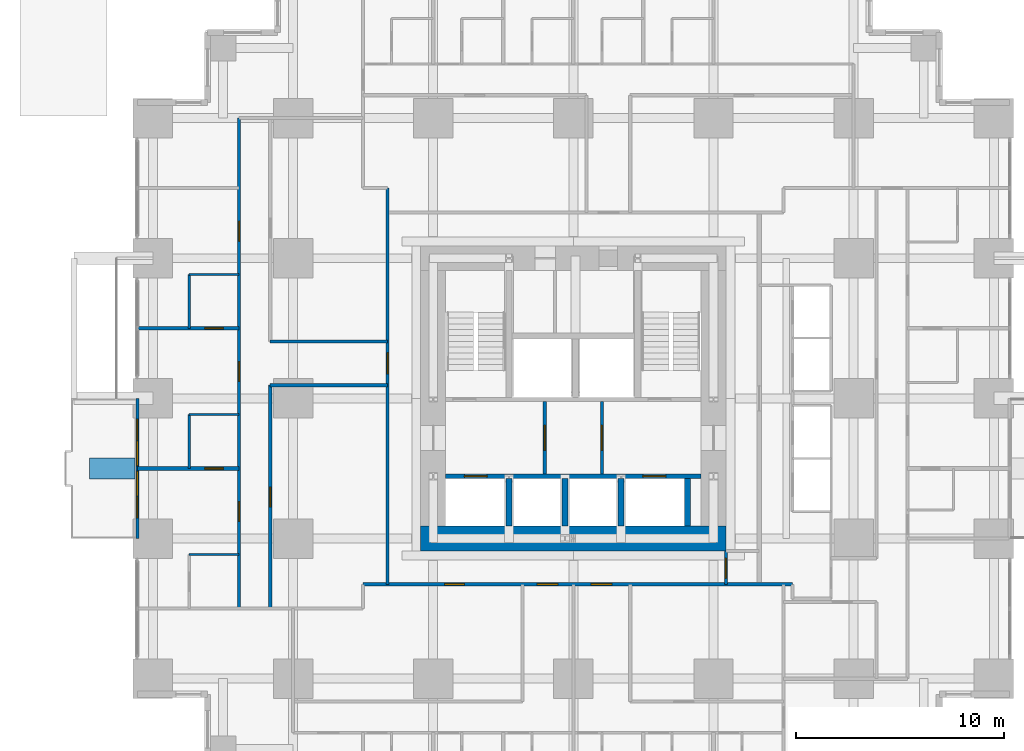
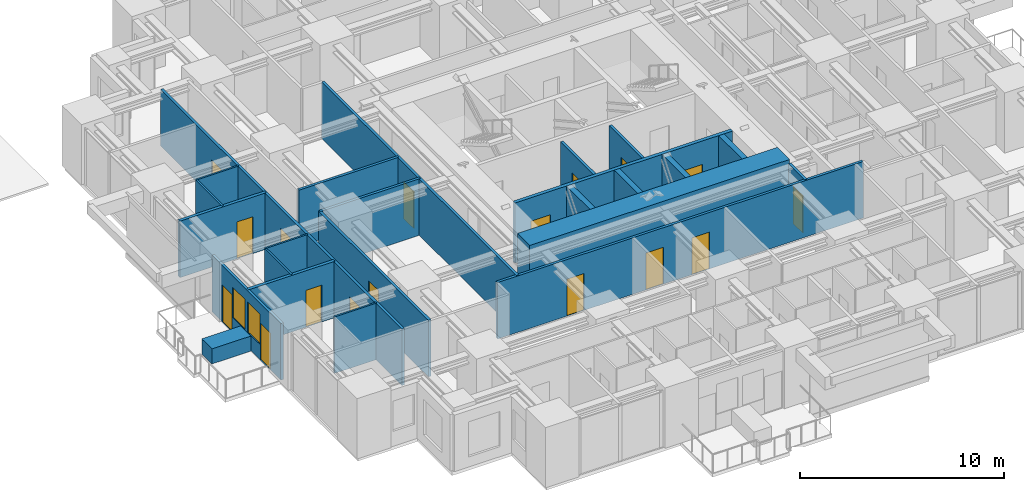
# One storey, part 9 of 14: 24 walls, 17 doors, 2 windows, 19 openings.
"""IFC4 building model written with IfcOpenShell, lengths in metres."""

import ifcopenshell
import ifcopenshell.guid

model = None  # the IFC model being written
_history = None  # IfcOwnerHistory: only IFC2X3 demands one
_inside = {}  # id of a spatial element -> (the spatial element, [elements in it])
_under = {}  # id of a project, library or spatial element -> (it, [spatial elements below it])
_declared = {}  # id of a project -> (the project, [libraries it declares])
_typed = {}  # id of a type object -> (the type object, [elements of that type])
_made_of = {}  # id of a material, layer set ... -> (it, [elements and type objects made of it])


def new_model(schema):
    """Start an empty IFC model of exactly this schema.

    Asked for "IFC4X3", IfcOpenShell would pick the latest addendum, in which some entities
    have other attributes; the version numbers below select the first issue.
    IFC2X3 requires an IfcOwnerHistory on every rooted entity: one is made here for all.
    """
    global model, _history
    if schema == "IFC4X3":
        model = ifcopenshell.file(schema_version=(4, 3, 0, 0))
    else:
        model = ifcopenshell.file(schema=schema)
    _inside.clear()
    _under.clear()
    _declared.clear()
    _typed.clear()
    _made_of.clear()
    _history = None
    if model.schema == "IFC2X3":
        org = make("IfcOrganization", Name="unknown")
        user = make(
            "IfcPersonAndOrganization",
            ThePerson=make("IfcPerson", FamilyName="unknown"),
            TheOrganization=org,
        )
        app = make(
            "IfcApplication",
            ApplicationDeveloper=org,
            Version="unknown",
            ApplicationFullName="unknown",
            ApplicationIdentifier="unknown",
        )
        _history = make(
            "IfcOwnerHistory",
            OwningUser=user,
            OwningApplication=app,
            ChangeAction="ADDED",
            CreationDate=0,
        )
    return model


def make(cls, **values):
    """One entity of the class cls with the attributes given. An attribute that is None is left unset."""
    return model.create_entity(
        cls, **{name: value for name, value in values.items() if value is not None}
    )


def rooted(cls, **values):
    """An entity with a GlobalId (a new one), such as an element, a storey or a relation."""
    return make(cls, GlobalId=ifcopenshell.guid.new(), OwnerHistory=_history, **values)


def si_unit(unit_type, name, prefix=None):
    """IfcSIUnit, for example si_unit("LENGTHUNIT", "METRE", prefix="MILLI")."""
    return make("IfcSIUnit", UnitType=unit_type, Prefix=prefix, Name=name)


def assignment(units):
    """IfcUnitAssignment: the units of a project."""
    return None if units is None else make("IfcUnitAssignment", Units=units)


def point(xyz):
    """IfcCartesianPoint."""
    return None if xyz is None else make("IfcCartesianPoint", Coordinates=xyz)


def direction(xyz):
    """IfcDirection."""
    return None if xyz is None else make("IfcDirection", DirectionRatios=xyz)


def frame(location, z_axis=None, x_axis=None):
    """IfcAxis2Placement3D, a coordinate frame: its origin and axes. An axis left out is left unset."""
    return make(
        "IfcAxis2Placement3D",
        Location=point(location),
        Axis=direction(z_axis),
        RefDirection=direction(x_axis),
    )


def frame_2d(location, x_axis=None):
    """IfcAxis2Placement2D, a coordinate frame in the plane: its origin and x axis."""
    return make(
        "IfcAxis2Placement2D", Location=point(location), RefDirection=direction(x_axis)
    )


def origin():
    """The frame at (0, 0, 0) with its axes left unset."""
    return frame((0.0, 0.0, 0.0))


def place(relative_to, where):
    """IfcLocalPlacement: puts the frame where relative to a parent placement (None: the world)."""
    return make(
        "IfcLocalPlacement", PlacementRelTo=relative_to, RelativePlacement=where
    )


def context(
    kind, dimensions, precision=None, world=None, true_north=None, identifier=None
):
    """IfcGeometricRepresentationContext, for example the 3D "Model" context."""
    return make(
        "IfcGeometricRepresentationContext",
        ContextIdentifier=identifier,
        ContextType=kind,
        CoordinateSpaceDimension=dimensions,
        Precision=precision,
        WorldCoordinateSystem=world,
        TrueNorth=true_north,
    )


def subcontext(parent, identifier, kind, view, scale=None):
    """IfcGeometricRepresentationSubContext, for example "Body" below "Model"."""
    return make(
        "IfcGeometricRepresentationSubContext",
        ContextIdentifier=identifier,
        ContextType=kind,
        ParentContext=parent,
        TargetScale=scale,
        TargetView=view,
    )


def project(units=None, contexts=None):
    """IfcProject with its units and contexts."""
    return rooted(
        "IfcProject",
        Name="project",
        RepresentationContexts=contexts,
        UnitsInContext=assignment(units),
    )


def spatial(cls, under=None, at=None, **own):
    """A site, building, storey or space (cls), placed at a placement, below another one or the project."""
    s = rooted(cls, ObjectPlacement=at, **own)
    if under is not None:
        _under.setdefault(under.id(), (under, []))[1].append(s)
    return s


def profile(cls, at=None, kind="AREA", **sizes):
    """A parametric profile (cls). Its sizes go by their IFC names, for example OverallWidth=200.0."""
    return make(cls, ProfileType=kind, Position=at, **sizes)


def rectangle(**sizes):
    """IfcRectangleProfileDef."""
    return profile("IfcRectangleProfileDef", **sizes)


def extrude(swept, where, along, depth):
    """IfcExtrudedAreaSolid: the profile swept, set in the frame where, extruded along a direction by depth."""
    return make(
        "IfcExtrudedAreaSolid",
        SweptArea=swept,
        Position=where,
        ExtrudedDirection=direction(along),
        Depth=depth,
    )


def shape(context_of_items, identifier, shape_type, items):
    """IfcShapeRepresentation: the items that make up one representation, for example the "Body"."""
    return make(
        "IfcShapeRepresentation",
        ContextOfItems=context_of_items,
        RepresentationIdentifier=identifier,
        RepresentationType=shape_type,
        Items=items,
    )


def material(Name=None, Category=None):
    """IfcMaterial."""
    return make("IfcMaterial", Name=Name, Category=Category)


def layer(
    of_material, thickness, ventilated=None, Name=None, Category=None, Priority=None
):
    """IfcMaterialLayer: one layer of a wall or slab, of a material (None: an air gap)."""
    return make(
        "IfcMaterialLayer",
        Material=of_material,
        LayerThickness=thickness,
        IsVentilated=ventilated,
        Name=Name,
        Category=Category,
        Priority=Priority,
    )


def layer_set(layers, Name=None):
    """IfcMaterialLayerSet."""
    return make("IfcMaterialLayerSet", MaterialLayers=layers, LayerSetName=Name)


def made_of(thing, what):
    """Note that an element or type object is made of a material, layer set ...; save() writes the relation."""
    if what is not None:
        _made_of.setdefault(what.id(), (what, []))[1].append(thing)
    return thing


def type_object(cls, material=None, **own):
    """A type object (cls), such as IfcWallType, which elements share."""
    return made_of(rooted(cls, **own), material)


def element(
    cls,
    number,
    at=None,
    inside=None,
    cuts=None,
    type_object=None,
    material=None,
    context=None,
    identifier="Body",
    shape_type=None,
    held_by="IfcProductDefinitionShape",
    body=None,
    shapes=None,
    **own,
):
    """One element of the class cls, such as IfcWall. Its Tag is "e" and its number.

    at: its placement. inside: the storey or other place that contains it. cuts: it is an
    opening in that element (IfcRelVoidsElement). A single representation is given by context,
    identifier, shape_type and body (its items); several are given by shapes. held_by: the class
    of the entity that holds the representations. save() writes the other relations.
    """
    e = rooted(cls, Tag="e%d" % number, ObjectPlacement=at, **own)
    if body is not None:
        shapes = [shape(context, identifier, shape_type, body)]
    if shapes is not None:
        e.Representation = make(held_by, Representations=shapes)
    if inside is not None:
        _inside.setdefault(inside.id(), (inside, []))[1].append(e)
    if cuts is not None:
        rooted(
            "IfcRelVoidsElement", RelatingBuildingElement=cuts, RelatedOpeningElement=e
        )
    if type_object is not None:
        _typed.setdefault(type_object.id(), (type_object, []))[1].append(e)
    return made_of(e, material)


def fill(opening, filler):
    """IfcRelFillsElement: the door or window that sits in an opening."""
    return rooted(
        "IfcRelFillsElement",
        RelatingOpeningElement=opening,
        RelatedBuildingElement=filler,
    )


def aggregate(whole, parts):
    """IfcRelAggregates: a whole, such as a stair, and the parts it consists of."""
    return rooted("IfcRelAggregates", RelatingObject=whole, RelatedObjects=parts)


def save(model, path):
    """Write the relations noted so far, then the file.

    IfcRelAggregates (storeys below a building ...), IfcRelContainedInSpatialStructure (elements
    in a storey), IfcRelDefinesByType, IfcRelAssociatesMaterial and IfcRelDeclares: one each for
    every whole, place, type object, material and project.
    """
    for whole, parts in _under.values():
        aggregate(whole, parts)
    for where, things in _inside.values():
        rooted(
            "IfcRelContainedInSpatialStructure",
            RelatedElements=things,
            RelatingStructure=where,
        )
    for kind, things in _typed.values():
        rooted("IfcRelDefinesByType", RelatedObjects=things, RelatingType=kind)
    for what, things in _made_of.values():
        rooted("IfcRelAssociatesMaterial", RelatedObjects=things, RelatingMaterial=what)
    for by, libraries in _declared.values():
        rooted("IfcRelDeclares", RelatingContext=by, RelatedDefinitions=libraries)
    model.write(path)


model = new_model("IFC4")

# Units and contexts
model_context = context("Model", 3, precision=1e-05, world=origin(), true_north=direction((0.0, 1.0)))
body_context = subcontext(model_context, "Body", "Model", "MODEL_VIEW")
ifc_project = project(units=[si_unit("LENGTHUNIT", "METRE"), si_unit("AREAUNIT", "SQUARE_METRE"), si_unit("VOLUMEUNIT", "CUBIC_METRE"), si_unit("PLANEANGLEUNIT", "RADIAN"), si_unit("MASSUNIT", "GRAM", prefix="KILO")], contexts=[model_context])

# Site, building, storey
site_placement = place(None, origin())
site = spatial("IfcSite", under=ifc_project, at=site_placement, CompositionType="ELEMENT")
building_placement = place(site_placement, origin())
building = spatial("IfcBuilding", under=site, at=building_placement, Name="Nyansa Garden Tower", CompositionType="ELEMENT")
storey_placement = place(building_placement, frame((0.0, 0.0, 18.0)))
storey = spatial("IfcBuildingStorey", under=building, at=storey_placement, Name="L04", CompositionType="ELEMENT", Elevation=18.0)

# Wall, opening, door
ifc_material_1 = material(Name="Dense blockwork, plastered both sides, 55 dB", Category="masonry")
ifc_layer_1 = layer(ifc_material_1, 0.175048828125)
ifc_layer_set_1 = layer_set([ifc_layer_1], Name="Acoustic party wall PW175")
wall_type_1 = type_object("IfcWallType", Name="Acoustic party wall PW175", PredefinedType="PARTITIONING", material=ifc_layer_set_1)
wall_1_placement = place(storey_placement, frame((-0.73388671875, 16.875, 0.0), z_axis=(0.0, 0.0, 1.0), x_axis=(1.0, 0.0, 0.0)))
wall_1 = element("IfcWall", 1, at=wall_1_placement, inside=storey, type_object=wall_type_1, Name="Party wall", PredefinedType="PARTITIONING", context=body_context, shape_type="SweptSolid", body=[
    extrude(rectangle(XDim=4.8837890625, YDim=0.175048828125, at=frame_2d((2.44189453125, 0.0))), origin(), (0.0, 0.0, 1.0), 3.375),
])
opening_1_placement = place(wall_1_placement, frame((3.23388671875, 0.0, 0.0)))
opening_1 = element("IfcOpeningElement", 2, at=opening_1_placement, cuts=wall_1, Name="Opening D02", PredefinedType="OPENING", context=body_context, shape_type="SweptSolid", body=[
    extrude(rectangle(XDim=0.89990234375, YDim=2.199951171875, at=frame_2d((0.449951171875, 1.10009765625))), frame((0.0, 0.097412109375, 0.0), z_axis=(0.0, -1.0, 0.0), x_axis=(1.0, 0.0, 0.0)), (0.0, 0.0, 1.0), 0.195068359375),
])
ifc_material_2 = material(Name="Timber flush door", Category="wood")
door_type_1 = type_object("IfcDoorType", Name="En-suite door D02 900x2200", OperationType="SINGLE_SWING_RIGHT", PredefinedType="DOOR", material=ifc_material_2)
door_1_placement = place(opening_1_placement, origin())
door_1 = element("IfcDoor", 3, at=door_1_placement, inside=storey, type_object=door_type_1, Name="Door L04-062", OperationType="SINGLE_SWING_RIGHT", OverallHeight=2.199951171875, OverallWidth=0.89990234375, PredefinedType="DOOR", context=body_context, shape_type="SweptSolid", body=[
    extrude(rectangle(XDim=0.89990234375, YDim=2.199951171875, at=frame_2d((0.449951171875, 1.10009765625))), frame((0.0, 0.02490234375, 0.0), z_axis=(0.0, -1.0, 0.0), x_axis=(1.0, 0.0, 0.0)), (0.0, 0.0, 1.0), 0.050048828125),
])
fill(opening_1, door_1)

wall_2_placement = place(storey_placement, frame((-0.73388671875, 23.625, 0.0), z_axis=(0.0, 0.0, 1.0), x_axis=(1.0, 0.0, 0.0)))
wall_2 = element("IfcWall", 4, at=wall_2_placement, inside=storey, type_object=wall_type_1, Name="Party wall", PredefinedType="PARTITIONING", context=body_context, shape_type="SweptSolid", body=[
    extrude(rectangle(XDim=4.8837890625, YDim=0.175048828125, at=frame_2d((2.44189453125, 0.0))), origin(), (0.0, 0.0, 1.0), 3.375),
])
opening_2_placement = place(wall_2_placement, frame((3.23388671875, 0.0, 0.0)))
opening_2 = element("IfcOpeningElement", 5, at=opening_2_placement, cuts=wall_2, Name="Opening D02", PredefinedType="OPENING", context=body_context, shape_type="SweptSolid", body=[
    extrude(rectangle(XDim=0.89990234375, YDim=2.199951171875, at=frame_2d((0.449951171875, 1.10009765625))), frame((0.0, 0.097412109375, 0.0), z_axis=(0.0, -1.0, 0.0), x_axis=(1.0, 0.0, 0.0)), (0.0, 0.0, 1.0), 0.195068359375),
])
door_2_placement = place(opening_2_placement, origin())
door_2 = element("IfcDoor", 6, at=door_2_placement, inside=storey, type_object=door_type_1, Name="Door L04-064", OperationType="SINGLE_SWING_RIGHT", OverallHeight=2.199951171875, OverallWidth=0.89990234375, PredefinedType="DOOR", context=body_context, shape_type="SweptSolid", body=[
    extrude(rectangle(XDim=0.89990234375, YDim=2.199951171875, at=frame_2d((0.449951171875, 1.10009765625))), frame((0.0, 0.02490234375, 0.0), z_axis=(0.0, -1.0, 0.0), x_axis=(1.0, 0.0, 0.0)), (0.0, 0.0, 1.0), 0.050048828125),
])
fill(opening_2, door_2)

# Wall, openings, doors, windows
ifc_material_3 = material(Name="Black aluminium framed glazed screen", Category="aluminium")
ifc_layer_2 = layer(ifc_material_3, 0.14990234375)
ifc_layer_set_2 = layer_set([ifc_layer_2], Name="Balcony screen wall BW150")
wall_type_2 = type_object("IfcWallType", Name="Balcony screen wall BW150", PredefinedType="SOLIDWALL", material=ifc_layer_set_2)
wall_3_placement = place(storey_placement, frame((-0.75, 13.5, 0.0), z_axis=(0.0, 0.0, 1.0), x_axis=(0.0, 1.0, 0.0)))
wall_3 = element("IfcWall", 7, at=wall_3_placement, inside=storey, type_object=wall_type_2, Name="Glazed screen wall L04 W", PredefinedType="SOLIDWALL", context=body_context, shape_type="SweptSolid", body=[
    extrude(rectangle(XDim=6.75, YDim=0.14990234375, at=frame_2d((3.375, 0.0))), origin(), (0.0, 0.0, 1.0), 3.375),
])
opening_3_placement = place(wall_3_placement, frame((0.995849609375, 0.0, 0.0)))
opening_3 = element("IfcOpeningElement", 8, at=opening_3_placement, cuts=wall_3, Name="Opening D20", PredefinedType="OPENING", context=body_context, shape_type="SweptSolid", body=[
    extrude(rectangle(XDim=1.0, YDim=2.199951171875, at=frame_2d((0.5, 1.10009765625))), frame((0.0, 0.0849609375, 0.0), z_axis=(0.0, -1.0, 0.0), x_axis=(1.0, 0.0, 0.0)), (0.0, 0.0, 1.0), 0.169921875),
])
opening_4_placement = place(wall_3_placement, frame((2.041748046875, 0.0, 0.89990234375)))
opening_4 = element("IfcOpeningElement", 9, at=opening_4_placement, cuts=wall_3, Name="Opening W6", PredefinedType="OPENING", context=body_context, shape_type="SweptSolid", body=[
    extrude(rectangle(XDim=1.199951171875, YDim=1.800048828125, at=frame_2d((0.60009765625, 0.89990234375))), frame((0.0, 0.0849609375, 0.0), z_axis=(0.0, -1.0, 0.0), x_axis=(1.0, 0.0, 0.0)), (0.0, 0.0, 1.0), 0.169921875),
])
opening_5_placement = place(wall_3_placement, frame((4.754150390625, 0.0, 0.0)))
opening_5 = element("IfcOpeningElement", 10, at=opening_5_placement, cuts=wall_3, Name="Opening D20", PredefinedType="OPENING", context=body_context, shape_type="SweptSolid", body=[
    extrude(rectangle(XDim=1.0, YDim=2.199951171875, at=frame_2d((0.5, 1.10009765625))), frame((0.0, 0.0849609375, 0.0), z_axis=(0.0, -1.0, 0.0), x_axis=(1.0, 0.0, 0.0)), (0.0, 0.0, 1.0), 0.169921875),
])
opening_6_placement = place(wall_3_placement, frame((3.50830078125, 0.0, 0.89990234375)))
opening_6 = element("IfcOpeningElement", 11, at=opening_6_placement, cuts=wall_3, Name="Opening W6", PredefinedType="OPENING", context=body_context, shape_type="SweptSolid", body=[
    extrude(rectangle(XDim=1.199951171875, YDim=1.800048828125, at=frame_2d((0.60009765625, 0.89990234375))), frame((0.0, 0.0849609375, 0.0), z_axis=(0.0, -1.0, 0.0), x_axis=(1.0, 0.0, 0.0)), (0.0, 0.0, 1.0), 0.169921875),
])
ifc_material_4 = material(Name="Black aluminium framed glazed door", Category="aluminium")
door_type_2 = type_object("IfcDoorType", Name="Balcony door D20 1000x2200", OperationType="NOTDEFINED", PredefinedType="DOOR", material=ifc_material_4)
door_3_placement = place(opening_3_placement, origin())
door_3 = element("IfcDoor", 12, at=door_3_placement, inside=storey, type_object=door_type_2, Name="Balcony door L04", OperationType="SINGLE_SWING_LEFT", OverallHeight=2.199951171875, OverallWidth=1.0, PredefinedType="DOOR", context=body_context, shape_type="SweptSolid", body=[
    extrude(rectangle(XDim=1.0, YDim=2.199951171875, at=frame_2d((0.5, 1.10009765625))), frame((0.0, 0.02490234375, 0.0), z_axis=(0.0, -1.0, 0.0), x_axis=(1.0, 0.0, 0.0)), (0.0, 0.0, 1.0), 0.050048828125),
])
fill(opening_3, door_3)
door_4_placement = place(opening_5_placement, origin())
door_4 = element("IfcDoor", 13, at=door_4_placement, inside=storey, type_object=door_type_2, Name="Balcony door L04", OperationType="SINGLE_SWING_RIGHT", OverallHeight=2.199951171875, OverallWidth=1.0, PredefinedType="DOOR", context=body_context, shape_type="SweptSolid", body=[
    extrude(rectangle(XDim=1.0, YDim=2.199951171875, at=frame_2d((0.5, 1.10009765625))), frame((0.0, 0.02490234375, 0.0), z_axis=(0.0, -1.0, 0.0), x_axis=(1.0, 0.0, 0.0)), (0.0, 0.0, 1.0), 0.050048828125),
])
fill(opening_5, door_4)
ifc_material_5 = material(Name="Black aluminium frame, dark tinted double glazing", Category="aluminium")
window_type = type_object("IfcWindowType", Name="Balcony window W6 1200x1800", PartitioningType="SINGLE_PANEL", PredefinedType="WINDOW", material=ifc_material_5)
window_1_placement = place(opening_4_placement, origin())
window_1 = element("IfcWindow", 14, at=window_1_placement, inside=storey, type_object=window_type, Name="Window L04", OverallHeight=1.800048828125, OverallWidth=1.199951171875, PartitioningType="SINGLE_PANEL", PredefinedType="WINDOW", context=body_context, shape_type="SweptSolid", body=[
    extrude(rectangle(XDim=1.199951171875, YDim=1.800048828125, at=frame_2d((0.60009765625, 0.89990234375))), frame((0.0, 0.030029296875, 0.0), z_axis=(0.0, -1.0, 0.0), x_axis=(1.0, 0.0, 0.0)), (0.0, 0.0, 1.0), 0.06005859375),
])
fill(opening_4, window_1)
window_2_placement = place(opening_6_placement, origin())
window_2 = element("IfcWindow", 15, at=window_2_placement, inside=storey, type_object=window_type, Name="Window L04", OverallHeight=1.800048828125, OverallWidth=1.199951171875, PartitioningType="SINGLE_PANEL", PredefinedType="WINDOW", context=body_context, shape_type="SweptSolid", body=[
    extrude(rectangle(XDim=1.199951171875, YDim=1.800048828125, at=frame_2d((0.60009765625, 0.89990234375))), frame((0.0, 0.030029296875, 0.0), z_axis=(0.0, -1.0, 0.0), x_axis=(1.0, 0.0, 0.0)), (0.0, 0.0, 1.0), 0.06005859375),
])
fill(opening_6, window_2)

# Wall, openings, doors
ifc_material_6 = material(Name="Concrete C70/85", Category="concrete")
ifc_layer_3 = layer(ifc_material_6, 0.199951171875)
ifc_layer_set_3 = layer_set([ifc_layer_3], Name="Core inner wall CI200")
wall_type_3 = type_object("IfcWallType", Name="Core inner wall CI200", PredefinedType="SHEAR", material=ifc_layer_set_3)
wall_4_placement = place(storey_placement, frame((14.10009765625, 16.5, 0.0), z_axis=(0.0, 0.0, 1.0), x_axis=(1.0, 0.0, 0.0)))
wall_4 = element("IfcWall", 16, at=wall_4_placement, inside=storey, type_object=wall_type_3, Name="Core inner wall L04", PredefinedType="SHEAR", context=body_context, shape_type="SweptSolid", body=[
    extrude(rectangle(XDim=12.2998046875, YDim=0.199951171875, at=frame_2d((6.14990234375, 0.0))), origin(), (0.0, 0.0, 1.0), 3.60009765625),
])
opening_7_placement = place(wall_4_placement, frame((0.89990234375, 0.0, 0.0)))
opening_7 = element("IfcOpeningElement", 17, at=opening_7_placement, cuts=wall_4, Name="Opening LD-F", PredefinedType="OPENING", context=body_context, shape_type="SweptSolid", body=[
    extrude(rectangle(XDim=1.10009765625, YDim=2.199951171875, at=frame_2d((0.550048828125, 1.10009765625))), frame((0.0, 0.10986328125, 0.0), z_axis=(0.0, -1.0, 0.0), x_axis=(1.0, 0.0, 0.0)), (0.0, 0.0, 1.0), 0.219970703125),
])
opening_8_placement = place(wall_4_placement, frame((9.5, 0.0, 0.0)))
opening_8 = element("IfcOpeningElement", 18, at=opening_8_placement, cuts=wall_4, Name="Opening LD-F", PredefinedType="OPENING", context=body_context, shape_type="SweptSolid", body=[
    extrude(rectangle(XDim=1.10009765625, YDim=2.199951171875, at=frame_2d((0.550048828125, 1.10009765625))), frame((0.0, 0.10986328125, 0.0), z_axis=(0.0, -1.0, 0.0), x_axis=(1.0, 0.0, 0.0)), (0.0, 0.0, 1.0), 0.219970703125),
])
ifc_material_7 = material(Name="Stainless steel centre-opening landing door of the firefighting lift, EN 81-72, E 120", Category="steel")
door_type_3 = type_object("IfcDoorType", Name="Lift landing door LD-F 1100x2200", OperationType="DOUBLE_DOOR_SLIDING", PredefinedType="DOOR", material=ifc_material_7)
door_5_placement = place(opening_7_placement, origin())
door_5 = element("IfcDoor", 19, at=door_5_placement, inside=storey, type_object=door_type_3, Name="Landing door FF1", OperationType="DOUBLE_DOOR_SLIDING", OverallHeight=2.199951171875, OverallWidth=1.10009765625, PredefinedType="DOOR", context=body_context, shape_type="SweptSolid", body=[
    extrude(rectangle(XDim=1.10009765625, YDim=2.199951171875, at=frame_2d((0.550048828125, 1.10009765625))), frame((0.0, 0.02490234375, 0.0), z_axis=(0.0, -1.0, 0.0), x_axis=(1.0, 0.0, 0.0)), (0.0, 0.0, 1.0), 0.050048828125),
])
fill(opening_7, door_5)
door_6_placement = place(opening_8_placement, origin())
door_6 = element("IfcDoor", 20, at=door_6_placement, inside=storey, type_object=door_type_3, Name="Landing door FF2", OperationType="DOUBLE_DOOR_SLIDING", OverallHeight=2.199951171875, OverallWidth=1.10009765625, PredefinedType="DOOR", context=body_context, shape_type="SweptSolid", body=[
    extrude(rectangle(XDim=1.10009765625, YDim=2.199951171875, at=frame_2d((0.550048828125, 1.10009765625))), frame((0.0, 0.02490234375, 0.0), z_axis=(0.0, -1.0, 0.0), x_axis=(1.0, 0.0, 0.0)), (0.0, 0.0, 1.0), 0.050048828125),
])
fill(opening_8, door_6)

# Walls
ifc_material_8 = material(Name="Concrete C70/85", Category="concrete")
ifc_layer_4 = layer(ifc_material_8, 0.300048828125)
ifc_layer_set_4 = layer_set([ifc_layer_4], Name="Core inner wall CI300")
wall_type_4 = type_object("IfcWallType", Name="Core inner wall CI300", PredefinedType="SHEAR", material=ifc_layer_set_4)
for number, where, z_axis, x_axis, name in (
    (21, (17.14990234375, 14.10009765625, 0.0), (0.0, 0.0, 1.0), (0.0, 1.0, 0.0), "Core inner wall L04"),
    (22, (19.85009765625, 14.10009765625, 0.0), (0.0, 0.0, 1.0), (0.0, 1.0, 0.0), "Core inner wall L04"),
    (23, (22.550048828125, 14.10009765625, 0.0), (0.0, 0.0, 1.0), (0.0, 1.0, 0.0), "Core inner wall L04"),
    (24, (25.75, 14.10009765625, 0.0), (0.0, 0.0, 1.0), (0.0, 1.0, 0.0), "Core inner wall L04"),
):
    element("IfcWall", number, at=place(storey_placement, frame(where, z_axis=z_axis, x_axis=x_axis)), inside=storey, type_object=wall_type_4, Name=name, PredefinedType="SHEAR", context=body_context, shape_type="SweptSolid", body=[
        extrude(rectangle(XDim=2.2998046875, YDim=0.300048828125, at=frame_2d((1.14990234375, 0.0))), origin(), (0.0, 0.0, 1.0), 3.60009765625),
    ])
ifc_material_9 = material(Name="Concrete C80/95", Category="concrete")
ifc_layer_5 = layer(ifc_material_9, 1.199951171875)
ifc_layer_set_5 = layer_set([ifc_layer_5], Name="Core wall CW1200")
wall_type_5 = type_object("IfcWallType", Name="Core wall CW1200", PredefinedType="SHEAR", material=ifc_layer_set_5)
wall_5_placement = place(storey_placement, frame((12.89990234375, 13.5, 0.0), z_axis=(0.0, 0.0, 1.0), x_axis=(1.0, 0.0, 0.0)))
element("IfcWall", 25, at=wall_5_placement, inside=storey, type_object=wall_type_5, Name="Core wall S L04", PredefinedType="SHEAR", context=body_context, shape_type="SweptSolid", body=[
    extrude(rectangle(XDim=14.7001953125, YDim=1.199951171875, at=frame_2d((7.35009765625, 0.0))), origin(), (0.0, 0.0, 1.0), 3.60009765625),
])

# Wall, opening, door
ifc_material_10 = material(Name="Blockwork, plastered both sides", Category="masonry")
ifc_layer_6 = layer(ifc_material_10, 0.14990234375)
ifc_layer_set_6 = layer_set([ifc_layer_6], Name="Partition PW150")
wall_type_6 = type_object("IfcWallType", Name="Partition PW150", PredefinedType="PARTITIONING", material=ifc_layer_set_6)
wall_6_placement = place(storey_placement, frame((18.875, 16.60009765625, 0.0), z_axis=(0.0, 0.0, 1.0), x_axis=(0.0, 1.0, 0.0)))
wall_6 = element("IfcWall", 26, at=wall_6_placement, inside=storey, type_object=wall_type_6, Name="Partition", PredefinedType="PARTITIONING", context=body_context, shape_type="SweptSolid", body=[
    extrude(rectangle(XDim=3.5, YDim=0.14990234375, at=frame_2d((1.75, 0.0))), origin(), (0.0, 0.0, 1.0), 3.375),
])
opening_9_placement = place(wall_6_placement, frame((1.14990234375, 0.0, 0.0)))
opening_9 = element("IfcOpeningElement", 27, at=opening_9_placement, cuts=wall_6, Name="Opening D06", PredefinedType="OPENING", context=body_context, shape_type="SweptSolid", body=[
    extrude(rectangle(XDim=1.199951171875, YDim=2.199951171875, at=frame_2d((0.60009765625, 1.10009765625))), frame((0.0, 0.0849609375, 0.0), z_axis=(0.0, -1.0, 0.0), x_axis=(1.0, 0.0, 0.0)), (0.0, 0.0, 1.0), 0.169921875),
])
ifc_material_11 = material(Name="Steel door, 120 minute fire resisting", Category="steel")
door_type_4 = type_object("IfcDoorType", Name="Lobby door D06 1200x2200", OperationType="DOUBLE_DOOR_SINGLE_SWING", PredefinedType="DOOR", material=ifc_material_11)
door_7_placement = place(opening_9_placement, origin())
door_7 = element("IfcDoor", 28, at=door_7_placement, inside=storey, type_object=door_type_4, Name="Passenger lift lobby door", OperationType="DOUBLE_DOOR_SINGLE_SWING", OverallHeight=2.199951171875, OverallWidth=1.199951171875, PredefinedType="DOOR", context=body_context, shape_type="SweptSolid", body=[
    extrude(rectangle(XDim=1.199951171875, YDim=2.199951171875, at=frame_2d((0.60009765625, 1.10009765625))), frame((0.0, 0.02490234375, 0.0), z_axis=(0.0, -1.0, 0.0), x_axis=(1.0, 0.0, 0.0)), (0.0, 0.0, 1.0), 0.050048828125),
])
fill(opening_9, door_7)

wall_7_placement = place(storey_placement, frame((21.625, 16.60009765625, 0.0), z_axis=(0.0, 0.0, 1.0), x_axis=(0.0, 1.0, 0.0)))
wall_7 = element("IfcWall", 29, at=wall_7_placement, inside=storey, type_object=wall_type_6, Name="Partition", PredefinedType="PARTITIONING", context=body_context, shape_type="SweptSolid", body=[
    extrude(rectangle(XDim=3.5, YDim=0.14990234375, at=frame_2d((1.75, 0.0))), origin(), (0.0, 0.0, 1.0), 3.375),
])
opening_10_placement = place(wall_7_placement, frame((1.14990234375, 0.0, 0.0)))
opening_10 = element("IfcOpeningElement", 30, at=opening_10_placement, cuts=wall_7, Name="Opening D06", PredefinedType="OPENING", context=body_context, shape_type="SweptSolid", body=[
    extrude(rectangle(XDim=1.199951171875, YDim=2.199951171875, at=frame_2d((0.60009765625, 1.10009765625))), frame((0.0, 0.0849609375, 0.0), z_axis=(0.0, -1.0, 0.0), x_axis=(1.0, 0.0, 0.0)), (0.0, 0.0, 1.0), 0.169921875),
])
door_8_placement = place(opening_10_placement, origin())
door_8 = element("IfcDoor", 31, at=door_8_placement, inside=storey, type_object=door_type_4, Name="Passenger lift lobby door", OperationType="DOUBLE_DOOR_SINGLE_SWING", OverallHeight=2.199951171875, OverallWidth=1.199951171875, PredefinedType="DOOR", context=body_context, shape_type="SweptSolid", body=[
    extrude(rectangle(XDim=1.199951171875, YDim=2.199951171875, at=frame_2d((0.60009765625, 1.10009765625))), frame((0.0, 0.02490234375, 0.0), z_axis=(0.0, -1.0, 0.0), x_axis=(1.0, 0.0, 0.0)), (0.0, 0.0, 1.0), 0.050048828125),
])
fill(opening_10, door_8)

# Wall, openings, doors
wall_8_placement = place(storey_placement, frame((4.14990234375, 10.125, 0.0), z_axis=(0.0, 0.0, 1.0), x_axis=(0.0, 1.0, 0.0)))
wall_8 = element("IfcWall", 32, at=wall_8_placement, inside=storey, type_object=wall_type_6, Name="Partition", PredefinedType="PARTITIONING", context=body_context, shape_type="SweptSolid", body=[
    extrude(rectangle(XDim=23.625, YDim=0.14990234375, at=frame_2d((11.8125, 0.0))), origin(), (0.0, 0.0, 1.0), 3.375),
])
opening_11_placement = place(wall_8_placement, frame((4.199951171875, 0.0, 0.0)))
opening_11 = element("IfcOpeningElement", 33, at=opening_11_placement, cuts=wall_8, Name="Opening D14", PredefinedType="OPENING", context=body_context, shape_type="SweptSolid", body=[
    extrude(rectangle(XDim=0.949951171875, YDim=2.199951171875, at=frame_2d((0.47509765625, 1.10009765625))), frame((0.0, 0.0849609375, 0.0), z_axis=(0.0, -1.0, 0.0), x_axis=(1.0, 0.0, 0.0)), (0.0, 0.0, 1.0), 0.169921875),
])
opening_12_placement = place(wall_8_placement, frame((10.949951171875, 0.0, 0.0)))
opening_12 = element("IfcOpeningElement", 34, at=opening_12_placement, cuts=wall_8, Name="Opening D14", PredefinedType="OPENING", context=body_context, shape_type="SweptSolid", body=[
    extrude(rectangle(XDim=0.949951171875, YDim=2.199951171875, at=frame_2d((0.47509765625, 1.10009765625))), frame((0.0, 0.0849609375, 0.0), z_axis=(0.0, -1.0, 0.0), x_axis=(1.0, 0.0, 0.0)), (0.0, 0.0, 1.0), 0.169921875),
])
opening_13_placement = place(wall_8_placement, frame((17.699951171875, 0.0, 0.0)))
opening_13 = element("IfcOpeningElement", 35, at=opening_13_placement, cuts=wall_8, Name="Opening D14", PredefinedType="OPENING", context=body_context, shape_type="SweptSolid", body=[
    extrude(rectangle(XDim=0.949951171875, YDim=2.199951171875, at=frame_2d((0.47509765625, 1.10009765625))), frame((0.0, 0.0849609375, 0.0), z_axis=(0.0, -1.0, 0.0), x_axis=(1.0, 0.0, 0.0)), (0.0, 0.0, 1.0), 0.169921875),
])
ifc_material_12 = material(Name="Timber flush door, 60 minute fire resisting, self-closing", Category="wood")
door_type_5 = type_object("IfcDoorType", Name="Studio entrance door D14 950x2200", OperationType="SINGLE_SWING_LEFT", PredefinedType="DOOR", material=ifc_material_12)
door_9_placement = place(opening_11_placement, origin())
door_9 = element("IfcDoor", 36, at=door_9_placement, inside=storey, type_object=door_type_5, Name="Door L04-059", OperationType="SINGLE_SWING_LEFT", OverallHeight=2.199951171875, OverallWidth=0.949951171875, PredefinedType="DOOR", context=body_context, shape_type="SweptSolid", body=[
    extrude(rectangle(XDim=0.949951171875, YDim=2.199951171875, at=frame_2d((0.47509765625, 1.10009765625))), frame((0.0, 0.02490234375, 0.0), z_axis=(0.0, -1.0, 0.0), x_axis=(1.0, 0.0, 0.0)), (0.0, 0.0, 1.0), 0.050048828125),
])
fill(opening_11, door_9)
door_10_placement = place(opening_12_placement, origin())
door_10 = element("IfcDoor", 37, at=door_10_placement, inside=storey, type_object=door_type_5, Name="Door L04-061", OperationType="SINGLE_SWING_LEFT", OverallHeight=2.199951171875, OverallWidth=0.949951171875, PredefinedType="DOOR", context=body_context, shape_type="SweptSolid", body=[
    extrude(rectangle(XDim=0.949951171875, YDim=2.199951171875, at=frame_2d((0.47509765625, 1.10009765625))), frame((0.0, 0.02490234375, 0.0), z_axis=(0.0, -1.0, 0.0), x_axis=(1.0, 0.0, 0.0)), (0.0, 0.0, 1.0), 0.050048828125),
])
fill(opening_12, door_10)
door_11_placement = place(opening_13_placement, origin())
door_11 = element("IfcDoor", 38, at=door_11_placement, inside=storey, type_object=door_type_5, Name="Door L04-063", OperationType="SINGLE_SWING_LEFT", OverallHeight=2.199951171875, OverallWidth=0.949951171875, PredefinedType="DOOR", context=body_context, shape_type="SweptSolid", body=[
    extrude(rectangle(XDim=0.949951171875, YDim=2.199951171875, at=frame_2d((0.47509765625, 1.10009765625))), frame((0.0, 0.02490234375, 0.0), z_axis=(0.0, -1.0, 0.0), x_axis=(1.0, 0.0, 0.0)), (0.0, 0.0, 1.0), 0.050048828125),
])
fill(opening_13, door_11)

# Wall, opening, door
wall_9_placement = place(storey_placement, frame((5.64990234375, 10.125, 0.0), z_axis=(0.0, 0.0, 1.0), x_axis=(0.0, 1.0, 0.0)))
wall_9 = element("IfcWall", 39, at=wall_9_placement, inside=storey, type_object=wall_type_6, Name="Partition", PredefinedType="PARTITIONING", context=body_context, shape_type="SweptSolid", body=[
    extrude(rectangle(XDim=10.762451171875, YDim=0.14990234375, at=frame_2d((5.38134765625, 0.0))), origin(), (0.0, 0.0, 1.0), 3.375),
])
opening_14_placement = place(wall_9_placement, frame((4.89990234375, 0.0, 0.0)))
opening_14 = element("IfcOpeningElement", 40, at=opening_14_placement, cuts=wall_9, Name="Opening D01", PredefinedType="OPENING", context=body_context, shape_type="SweptSolid", body=[
    extrude(rectangle(XDim=0.949951171875, YDim=2.199951171875, at=frame_2d((0.47509765625, 1.10009765625))), frame((0.0, 0.0849609375, 0.0), z_axis=(0.0, -1.0, 0.0), x_axis=(1.0, 0.0, 0.0)), (0.0, 0.0, 1.0), 0.169921875),
])
ifc_material_13 = material(Name="Timber flush door, 30 minute fire resisting", Category="wood")
door_type_6 = type_object("IfcDoorType", Name="Bedroom door D01 950x2200", OperationType="SINGLE_SWING_LEFT", PredefinedType="DOOR", material=ifc_material_13)
door_12_placement = place(opening_14_placement, origin())
door_12 = element("IfcDoor", 41, at=door_12_placement, inside=storey, type_object=door_type_6, Name="Door L04-066", OperationType="SINGLE_SWING_LEFT", OverallHeight=2.199951171875, OverallWidth=0.949951171875, PredefinedType="DOOR", context=body_context, shape_type="SweptSolid", body=[
    extrude(rectangle(XDim=0.949951171875, YDim=2.199951171875, at=frame_2d((0.47509765625, 1.10009765625))), frame((0.0, 0.02490234375, 0.0), z_axis=(0.0, -1.0, 0.0), x_axis=(1.0, 0.0, 0.0)), (0.0, 0.0, 1.0), 0.050048828125),
])
fill(opening_14, door_12)

# Walls
for number, where, z_axis, x_axis, name in (
    (42, (5.64990234375, 20.886962890625, 0.0), (0.0, 0.0, 1.0), (1.0, 0.0, 0.0), "Partition"),
    (43, (5.64990234375, 22.988037109375, 0.0), (0.0, 0.0, 1.0), (1.0, 0.0, 0.0), "Partition"),
):
    element("IfcWall", number, at=place(storey_placement, frame(where, z_axis=z_axis, x_axis=x_axis)), inside=storey, type_object=wall_type_6, Name=name, PredefinedType="PARTITIONING", context=body_context, shape_type="SweptSolid", body=[
        extrude(rectangle(XDim=5.650146484375, YDim=0.14990234375, at=frame_2d((2.8251953125, 0.0))), origin(), (0.0, 0.0, 1.0), 3.375),
    ])

# Wall, openings, doors
wall_10_placement = place(storey_placement, frame((10.125, 11.300048828125, 0.0), z_axis=(0.0, 0.0, 1.0), x_axis=(1.0, 0.0, 0.0)))
wall_10 = element("IfcWall", 44, at=wall_10_placement, inside=storey, type_object=wall_type_6, Name="Partition", PredefinedType="PARTITIONING", context=body_context, shape_type="SweptSolid", body=[
    extrude(rectangle(XDim=20.675048828125, YDim=0.14990234375, at=frame_2d((10.33740234375, 0.0))), origin(), (0.0, 0.0, 1.0), 3.375),
])
opening_15_placement = place(wall_10_placement, frame((8.375, 0.0, 0.0)))
opening_15 = element("IfcOpeningElement", 45, at=opening_15_placement, cuts=wall_10, Name="Opening D03", PredefinedType="OPENING", context=body_context, shape_type="SweptSolid", body=[
    extrude(rectangle(XDim=1.0, YDim=2.199951171875, at=frame_2d((0.5, 1.10009765625))), frame((0.0, 0.0849609375, 0.0), z_axis=(0.0, -1.0, 0.0), x_axis=(1.0, 0.0, 0.0)), (0.0, 0.0, 1.0), 0.169921875),
])
opening_16_placement = place(wall_10_placement, frame((10.97509765625, 0.0, 0.0)))
opening_16 = element("IfcOpeningElement", 46, at=opening_16_placement, cuts=wall_10, Name="Opening D03", PredefinedType="OPENING", context=body_context, shape_type="SweptSolid", body=[
    extrude(rectangle(XDim=1.0, YDim=2.199951171875, at=frame_2d((0.5, 1.10009765625))), frame((0.0, 0.0849609375, 0.0), z_axis=(0.0, -1.0, 0.0), x_axis=(1.0, 0.0, 0.0)), (0.0, 0.0, 1.0), 0.169921875),
])
opening_17_placement = place(wall_10_placement, frame((3.925048828125, 0.0, 0.0)))
opening_17 = element("IfcOpeningElement", 47, at=opening_17_placement, cuts=wall_10, Name="Opening D01", PredefinedType="OPENING", context=body_context, shape_type="SweptSolid", body=[
    extrude(rectangle(XDim=0.949951171875, YDim=2.199951171875, at=frame_2d((0.47509765625, 1.10009765625))), frame((0.0, 0.0849609375, 0.0), z_axis=(0.0, -1.0, 0.0), x_axis=(1.0, 0.0, 0.0)), (0.0, 0.0, 1.0), 0.169921875),
])
door_13_placement = place(opening_17_placement, origin())
door_13 = element("IfcDoor", 48, at=door_13_placement, inside=storey, type_object=door_type_6, Name="Door L04-032", OperationType="SINGLE_SWING_LEFT", OverallHeight=2.199951171875, OverallWidth=0.949951171875, PredefinedType="DOOR", context=body_context, shape_type="SweptSolid", body=[
    extrude(rectangle(XDim=0.949951171875, YDim=2.199951171875, at=frame_2d((0.47509765625, 1.10009765625))), frame((0.0, 0.02490234375, 0.0), z_axis=(0.0, -1.0, 0.0), x_axis=(1.0, 0.0, 0.0)), (0.0, 0.0, 1.0), 0.050048828125),
])
fill(opening_17, door_13)
ifc_material_14 = material(Name="Timber flush door, 60 minute fire resisting", Category="wood")
door_type_7 = type_object("IfcDoorType", Name="Cluster entrance door D03 1000x2200", OperationType="SINGLE_SWING_LEFT", PredefinedType="DOOR", material=ifc_material_14)
door_14_placement = place(opening_15_placement, origin())
door_14 = element("IfcDoor", 49, at=door_14_placement, inside=storey, type_object=door_type_7, Name="Door L04-024", OperationType="SINGLE_SWING_LEFT", OverallHeight=2.199951171875, OverallWidth=1.0, PredefinedType="DOOR", context=body_context, shape_type="SweptSolid", body=[
    extrude(rectangle(XDim=1.0, YDim=2.199951171875, at=frame_2d((0.5, 1.10009765625))), frame((0.0, 0.02490234375, 0.0), z_axis=(0.0, -1.0, 0.0), x_axis=(1.0, 0.0, 0.0)), (0.0, 0.0, 1.0), 0.050048828125),
])
fill(opening_15, door_14)
door_15_placement = place(opening_16_placement, origin())
door_15 = element("IfcDoor", 50, at=door_15_placement, inside=storey, type_object=door_type_7, Name="Door L04-031", OperationType="SINGLE_SWING_LEFT", OverallHeight=2.199951171875, OverallWidth=1.0, PredefinedType="DOOR", context=body_context, shape_type="SweptSolid", body=[
    extrude(rectangle(XDim=1.0, YDim=2.199951171875, at=frame_2d((0.5, 1.10009765625))), frame((0.0, 0.02490234375, 0.0), z_axis=(0.0, -1.0, 0.0), x_axis=(1.0, 0.0, 0.0)), (0.0, 0.0, 1.0), 0.050048828125),
])
fill(opening_16, door_15)

# Wall, opening, door
wall_11_placement = place(storey_placement, frame((11.300048828125, 11.300048828125, 0.0), z_axis=(0.0, 0.0, 1.0), x_axis=(0.0, 1.0, 0.0)))
wall_11 = element("IfcWall", 51, at=wall_11_placement, inside=storey, type_object=wall_type_6, Name="Partition", PredefinedType="PARTITIONING", context=body_context, shape_type="SweptSolid", body=[
    extrude(rectangle(XDim=19.074951171875, YDim=0.14990234375, at=frame_2d((9.53759765625, 0.0))), origin(), (0.0, 0.0, 1.0), 3.375),
])
opening_18_placement = place(wall_11_placement, frame((10.137451171875, 0.0, 0.0)))
opening_18 = element("IfcOpeningElement", 52, at=opening_18_placement, cuts=wall_11, Name="Opening D03", PredefinedType="OPENING", context=body_context, shape_type="SweptSolid", body=[
    extrude(rectangle(XDim=1.0, YDim=2.199951171875, at=frame_2d((0.5, 1.10009765625))), frame((0.0, 0.0849609375, 0.0), z_axis=(0.0, -1.0, 0.0), x_axis=(1.0, 0.0, 0.0)), (0.0, 0.0, 1.0), 0.169921875),
])
door_16_placement = place(opening_18_placement, origin())
door_16 = element("IfcDoor", 53, at=door_16_placement, inside=storey, type_object=door_type_7, Name="Door L04-065", OperationType="SINGLE_SWING_LEFT", OverallHeight=2.199951171875, OverallWidth=1.0, PredefinedType="DOOR", context=body_context, shape_type="SweptSolid", body=[
    extrude(rectangle(XDim=1.0, YDim=2.199951171875, at=frame_2d((0.5, 1.10009765625))), frame((0.0, 0.02490234375, 0.0), z_axis=(0.0, -1.0, 0.0), x_axis=(1.0, 0.0, 0.0)), (0.0, 0.0, 1.0), 0.050048828125),
])
fill(opening_18, door_16)

wall_12_placement = place(storey_placement, frame((27.60009765625, 11.300048828125, 0.0), z_axis=(0.0, 0.0, 1.0), x_axis=(0.0, 1.0, 0.0)))
wall_12 = element("IfcWall", 54, at=wall_12_placement, inside=storey, type_object=wall_type_6, Name="Partition", PredefinedType="PARTITIONING", context=body_context, shape_type="SweptSolid", body=[
    extrude(rectangle(XDim=1.599853515625, YDim=0.14990234375, at=frame_2d((0.7998046875, 0.0))), origin(), (0.0, 0.0, 1.0), 3.375),
])
opening_19_placement = place(wall_12_placement, frame((0.300048828125, 0.0, 0.0)))
opening_19 = element("IfcOpeningElement", 55, at=opening_19_placement, cuts=wall_12, Name="Opening D01", PredefinedType="OPENING", context=body_context, shape_type="SweptSolid", body=[
    extrude(rectangle(XDim=0.949951171875, YDim=2.199951171875, at=frame_2d((0.47509765625, 1.10009765625))), frame((0.0, 0.0849609375, 0.0), z_axis=(0.0, -1.0, 0.0), x_axis=(1.0, 0.0, 0.0)), (0.0, 0.0, 1.0), 0.169921875),
])
door_17_placement = place(opening_19_placement, origin())
door_17 = element("IfcDoor", 56, at=door_17_placement, inside=storey, type_object=door_type_6, Name="Door L04-016", OperationType="SINGLE_SWING_LEFT", OverallHeight=2.199951171875, OverallWidth=0.949951171875, PredefinedType="DOOR", context=body_context, shape_type="SweptSolid", body=[
    extrude(rectangle(XDim=0.949951171875, YDim=2.199951171875, at=frame_2d((0.47509765625, 1.10009765625))), frame((0.0, 0.02490234375, 0.0), z_axis=(0.0, -1.0, 0.0), x_axis=(1.0, 0.0, 0.0)), (0.0, 0.0, 1.0), 0.050048828125),
])
fill(opening_19, door_17)

# Walls
ifc_material_15 = material(Name="Concrete C40/50 planter, waterproofed", Category="concrete")
ifc_layer_7 = layer(ifc_material_15, 1.0)
ifc_layer_set_7 = layer_set([ifc_layer_7], Name="Tree planter TP1")
wall_type_7 = type_object("IfcWallType", Name="Tree planter TP1", PredefinedType="USERDEFINED", material=ifc_layer_set_7)
wall_13_placement = place(storey_placement, frame((-0.85009765625, 16.875, 0.0), z_axis=(0.0, 0.0, 1.0), x_axis=(-1.0, 0.0, 0.0)))
element("IfcWall", 57, at=wall_13_placement, inside=storey, type_object=wall_type_7, Name="Tree planter L04", ObjectType="TREE PLANTER", PredefinedType="USERDEFINED", context=body_context, shape_type="SweptSolid", body=[
    extrude(rectangle(XDim=2.199951171875, YDim=1.0, at=frame_2d((1.10009765625, 0.0))), origin(), (0.0, 0.0, 1.0), 0.89990234375),
])
ifc_material_16 = material(Name="Moisture resistant board on steel studs, tiled", Category="steel")
ifc_layer_8 = layer(ifc_material_16, 0.10009765625)
ifc_layer_set_8 = layer_set([ifc_layer_8], Name="Wet wall PW100")
wall_type_8 = type_object("IfcWallType", Name="Wet wall PW100", PredefinedType="PARTITIONING", material=ifc_layer_set_8)
wall_14_placement = place(storey_placement, frame((1.75, 12.72509765625, 0.0), z_axis=(0.0, 0.0, 1.0), x_axis=(1.0, 0.0, 0.0)))
element("IfcWall", 58, at=wall_14_placement, inside=storey, type_object=wall_type_8, Name="Wet wall", PredefinedType="PARTITIONING", context=body_context, shape_type="SweptSolid", body=[
    extrude(rectangle(XDim=2.39990234375, YDim=0.10009765625, at=frame_2d((1.199951171875, 0.0))), origin(), (0.0, 0.0, 1.0), 3.375),
])
wall_15_placement = place(storey_placement, frame((1.75, 16.875, 0.0), z_axis=(0.0, 0.0, 1.0), x_axis=(0.0, 1.0, 0.0)))
element("IfcWall", 59, at=wall_15_placement, inside=storey, type_object=wall_type_8, Name="Wet wall", PredefinedType="PARTITIONING", context=body_context, shape_type="SweptSolid", body=[
    extrude(rectangle(XDim=2.60009765625, YDim=0.10009765625, at=frame_2d((1.300048828125, 0.0))), origin(), (0.0, 0.0, 1.0), 3.375),
])
wall_16_placement = place(storey_placement, frame((1.75, 19.47509765625, 0.0), z_axis=(0.0, 0.0, 1.0), x_axis=(1.0, 0.0, 0.0)))
element("IfcWall", 60, at=wall_16_placement, inside=storey, type_object=wall_type_8, Name="Wet wall", PredefinedType="PARTITIONING", context=body_context, shape_type="SweptSolid", body=[
    extrude(rectangle(XDim=2.39990234375, YDim=0.10009765625, at=frame_2d((1.199951171875, 0.0))), origin(), (0.0, 0.0, 1.0), 3.375),
])
wall_17_placement = place(storey_placement, frame((1.75, 23.625, 0.0), z_axis=(0.0, 0.0, 1.0), x_axis=(0.0, 1.0, 0.0)))
element("IfcWall", 61, at=wall_17_placement, inside=storey, type_object=wall_type_8, Name="Wet wall", PredefinedType="PARTITIONING", context=body_context, shape_type="SweptSolid", body=[
    extrude(rectangle(XDim=2.60009765625, YDim=0.10009765625, at=frame_2d((1.300048828125, 0.0))), origin(), (0.0, 0.0, 1.0), 3.375),
])
wall_18_placement = place(storey_placement, frame((1.75, 26.22509765625, 0.0), z_axis=(0.0, 0.0, 1.0), x_axis=(1.0, 0.0, 0.0)))
element("IfcWall", 62, at=wall_18_placement, inside=storey, type_object=wall_type_8, Name="Wet wall", PredefinedType="PARTITIONING", context=body_context, shape_type="SweptSolid", body=[
    extrude(rectangle(XDim=2.39990234375, YDim=0.10009765625, at=frame_2d((1.199951171875, 0.0))), origin(), (0.0, 0.0, 1.0), 3.375),
])

save(model, "model.ifc")
